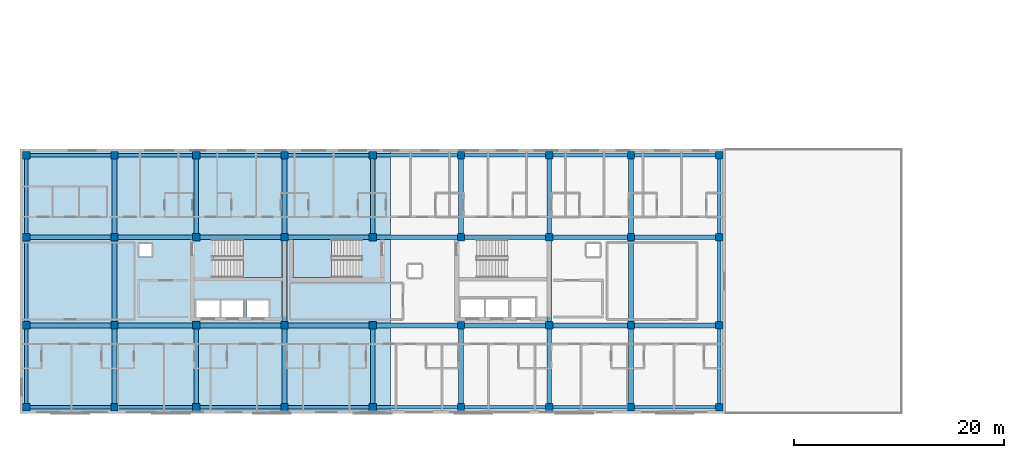
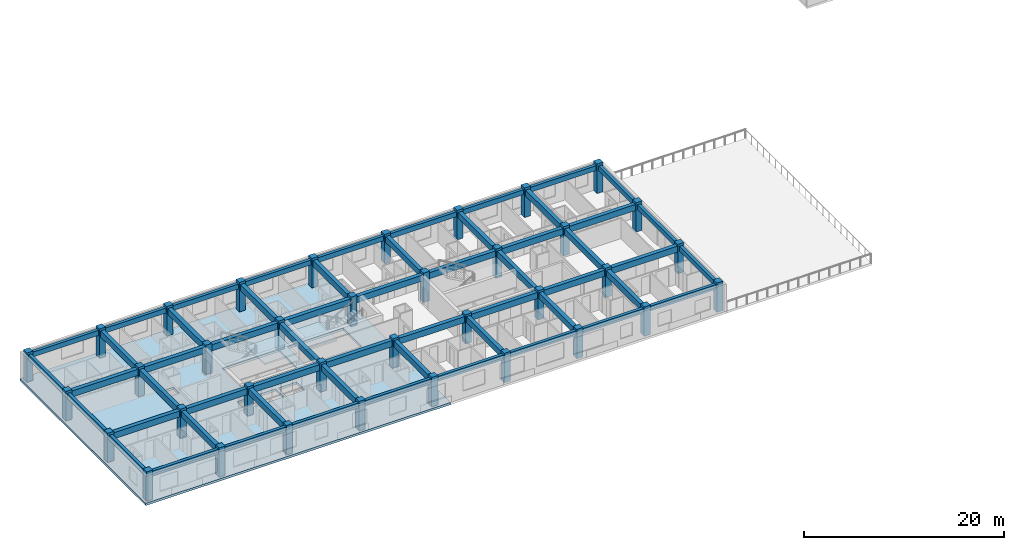
# One storey, part 1 of 13: 56 beams, 36 columns, 3 slabs, 2 elements without a shape of their own.
"""IFC4 building model written with IfcOpenShell, lengths in metres."""

import ifcopenshell
import ifcopenshell.guid

model = None  # the IFC model being written
_history = None  # IfcOwnerHistory: only IFC2X3 demands one
_inside = {}  # id of a spatial element -> (the spatial element, [elements in it])
_under = {}  # id of a project, library or spatial element -> (it, [spatial elements below it])
_declared = {}  # id of a project -> (the project, [libraries it declares])
_typed = {}  # id of a type object -> (the type object, [elements of that type])
_made_of = {}  # id of a material, layer set ... -> (it, [elements and type objects made of it])


def new_model(schema):
    """Start an empty IFC model of exactly this schema.

    Asked for "IFC4X3", IfcOpenShell would pick the latest addendum, in which some entities
    have other attributes; the version numbers below select the first issue.
    IFC2X3 requires an IfcOwnerHistory on every rooted entity: one is made here for all.
    """
    global model, _history
    if schema == "IFC4X3":
        model = ifcopenshell.file(schema_version=(4, 3, 0, 0))
    else:
        model = ifcopenshell.file(schema=schema)
    _inside.clear()
    _under.clear()
    _declared.clear()
    _typed.clear()
    _made_of.clear()
    _history = None
    if model.schema == "IFC2X3":
        org = make("IfcOrganization", Name="unknown")
        user = make(
            "IfcPersonAndOrganization",
            ThePerson=make("IfcPerson", FamilyName="unknown"),
            TheOrganization=org,
        )
        app = make(
            "IfcApplication",
            ApplicationDeveloper=org,
            Version="unknown",
            ApplicationFullName="unknown",
            ApplicationIdentifier="unknown",
        )
        _history = make(
            "IfcOwnerHistory",
            OwningUser=user,
            OwningApplication=app,
            ChangeAction="ADDED",
            CreationDate=0,
        )
    return model


def make(cls, **values):
    """One entity of the class cls with the attributes given. An attribute that is None is left unset."""
    return model.create_entity(
        cls, **{name: value for name, value in values.items() if value is not None}
    )


def rooted(cls, **values):
    """An entity with a GlobalId (a new one), such as an element, a storey or a relation."""
    return make(cls, GlobalId=ifcopenshell.guid.new(), OwnerHistory=_history, **values)


def si_unit(unit_type, name, prefix=None):
    """IfcSIUnit, for example si_unit("LENGTHUNIT", "METRE", prefix="MILLI")."""
    return make("IfcSIUnit", UnitType=unit_type, Prefix=prefix, Name=name)


def assignment(units):
    """IfcUnitAssignment: the units of a project."""
    return None if units is None else make("IfcUnitAssignment", Units=units)


def point(xyz):
    """IfcCartesianPoint."""
    return None if xyz is None else make("IfcCartesianPoint", Coordinates=xyz)


def direction(xyz):
    """IfcDirection."""
    return None if xyz is None else make("IfcDirection", DirectionRatios=xyz)


def frame(location, z_axis=None, x_axis=None):
    """IfcAxis2Placement3D, a coordinate frame: its origin and axes. An axis left out is left unset."""
    return make(
        "IfcAxis2Placement3D",
        Location=point(location),
        Axis=direction(z_axis),
        RefDirection=direction(x_axis),
    )


def frame_2d(location, x_axis=None):
    """IfcAxis2Placement2D, a coordinate frame in the plane: its origin and x axis."""
    return make(
        "IfcAxis2Placement2D", Location=point(location), RefDirection=direction(x_axis)
    )


def origin():
    """The frame at (0, 0, 0) with its axes left unset."""
    return frame((0.0, 0.0, 0.0))


def origin_2d():
    """The frame at (0, 0) in the plane with its x axis left unset."""
    return frame_2d((0.0, 0.0))


def place(relative_to, where):
    """IfcLocalPlacement: puts the frame where relative to a parent placement (None: the world)."""
    return make(
        "IfcLocalPlacement", PlacementRelTo=relative_to, RelativePlacement=where
    )


def context(
    kind, dimensions, precision=None, world=None, true_north=None, identifier=None
):
    """IfcGeometricRepresentationContext, for example the 3D "Model" context."""
    return make(
        "IfcGeometricRepresentationContext",
        ContextIdentifier=identifier,
        ContextType=kind,
        CoordinateSpaceDimension=dimensions,
        Precision=precision,
        WorldCoordinateSystem=world,
        TrueNorth=true_north,
    )


def subcontext(parent, identifier, kind, view, scale=None):
    """IfcGeometricRepresentationSubContext, for example "Body" below "Model"."""
    return make(
        "IfcGeometricRepresentationSubContext",
        ContextIdentifier=identifier,
        ContextType=kind,
        ParentContext=parent,
        TargetScale=scale,
        TargetView=view,
    )


def project(units=None, contexts=None):
    """IfcProject with its units and contexts."""
    return rooted(
        "IfcProject",
        Name="project",
        RepresentationContexts=contexts,
        UnitsInContext=assignment(units),
    )


def spatial(cls, under=None, at=None, **own):
    """A site, building, storey or space (cls), placed at a placement, below another one or the project."""
    s = rooted(cls, ObjectPlacement=at, **own)
    if under is not None:
        _under.setdefault(under.id(), (under, []))[1].append(s)
    return s


def polyline(points):
    """IfcPolyline through the points."""
    return make("IfcPolyline", Points=[point(p) for p in points])


def profile(cls, at=None, kind="AREA", **sizes):
    """A parametric profile (cls). Its sizes go by their IFC names, for example OverallWidth=200.0."""
    return make(cls, ProfileType=kind, Position=at, **sizes)


def rectangle(**sizes):
    """IfcRectangleProfileDef."""
    return profile("IfcRectangleProfileDef", **sizes)


def outline(outer, holes=None, kind="AREA"):
    """IfcArbitraryClosedProfileDef: a profile drawn as a closed curve; with holes, ...WithVoids."""
    if holes is None:
        return make("IfcArbitraryClosedProfileDef", ProfileType=kind, OuterCurve=outer)
    return make(
        "IfcArbitraryProfileDefWithVoids",
        ProfileType=kind,
        OuterCurve=outer,
        InnerCurves=holes,
    )


def extrude(swept, where, along, depth):
    """IfcExtrudedAreaSolid: the profile swept, set in the frame where, extruded along a direction by depth."""
    return make(
        "IfcExtrudedAreaSolid",
        SweptArea=swept,
        Position=where,
        ExtrudedDirection=direction(along),
        Depth=depth,
    )


def shape(context_of_items, identifier, shape_type, items):
    """IfcShapeRepresentation: the items that make up one representation, for example the "Body"."""
    return make(
        "IfcShapeRepresentation",
        ContextOfItems=context_of_items,
        RepresentationIdentifier=identifier,
        RepresentationType=shape_type,
        Items=items,
    )


def material(Name=None, Category=None):
    """IfcMaterial."""
    return make("IfcMaterial", Name=Name, Category=Category)


def layer(
    of_material, thickness, ventilated=None, Name=None, Category=None, Priority=None
):
    """IfcMaterialLayer: one layer of a wall or slab, of a material (None: an air gap)."""
    return make(
        "IfcMaterialLayer",
        Material=of_material,
        LayerThickness=thickness,
        IsVentilated=ventilated,
        Name=Name,
        Category=Category,
        Priority=Priority,
    )


def layer_set(layers, Name=None):
    """IfcMaterialLayerSet."""
    return make("IfcMaterialLayerSet", MaterialLayers=layers, LayerSetName=Name)


def material_profile(
    of_material, cross_section, Name=None, Category=None, Priority=None
):
    """IfcMaterialProfile: a cross section and its material."""
    return make(
        "IfcMaterialProfile",
        Name=Name,
        Material=of_material,
        Profile=cross_section,
        Priority=Priority,
        Category=Category,
    )


def profile_set(profiles, Name=None, composite=None):
    """IfcMaterialProfileSet."""
    return make(
        "IfcMaterialProfileSet",
        Name=Name,
        MaterialProfiles=profiles,
        CompositeProfile=composite,
    )


def made_of(thing, what):
    """Note that an element or type object is made of a material, layer set ...; save() writes the relation."""
    if what is not None:
        _made_of.setdefault(what.id(), (what, []))[1].append(thing)
    return thing


def type_object(cls, material=None, **own):
    """A type object (cls), such as IfcWallType, which elements share."""
    return made_of(rooted(cls, **own), material)


def element(
    cls,
    number,
    at=None,
    inside=None,
    cuts=None,
    type_object=None,
    material=None,
    context=None,
    identifier="Body",
    shape_type=None,
    held_by="IfcProductDefinitionShape",
    body=None,
    shapes=None,
    **own,
):
    """One element of the class cls, such as IfcWall. Its Tag is "e" and its number.

    at: its placement. inside: the storey or other place that contains it. cuts: it is an
    opening in that element (IfcRelVoidsElement). A single representation is given by context,
    identifier, shape_type and body (its items); several are given by shapes. held_by: the class
    of the entity that holds the representations. save() writes the other relations.
    """
    e = rooted(cls, Tag="e%d" % number, ObjectPlacement=at, **own)
    if body is not None:
        shapes = [shape(context, identifier, shape_type, body)]
    if shapes is not None:
        e.Representation = make(held_by, Representations=shapes)
    if inside is not None:
        _inside.setdefault(inside.id(), (inside, []))[1].append(e)
    if cuts is not None:
        rooted(
            "IfcRelVoidsElement", RelatingBuildingElement=cuts, RelatedOpeningElement=e
        )
    if type_object is not None:
        _typed.setdefault(type_object.id(), (type_object, []))[1].append(e)
    return made_of(e, material)


def aggregate(whole, parts):
    """IfcRelAggregates: a whole, such as a stair, and the parts it consists of."""
    return rooted("IfcRelAggregates", RelatingObject=whole, RelatedObjects=parts)


def save(model, path):
    """Write the relations noted so far, then the file.

    IfcRelAggregates (storeys below a building ...), IfcRelContainedInSpatialStructure (elements
    in a storey), IfcRelDefinesByType, IfcRelAssociatesMaterial and IfcRelDeclares: one each for
    every whole, place, type object, material and project.
    """
    for whole, parts in _under.values():
        aggregate(whole, parts)
    for where, things in _inside.values():
        rooted(
            "IfcRelContainedInSpatialStructure",
            RelatedElements=things,
            RelatingStructure=where,
        )
    for kind, things in _typed.values():
        rooted("IfcRelDefinesByType", RelatedObjects=things, RelatingType=kind)
    for what, things in _made_of.values():
        rooted("IfcRelAssociatesMaterial", RelatedObjects=things, RelatingMaterial=what)
    for by, libraries in _declared.values():
        rooted("IfcRelDeclares", RelatingContext=by, RelatedDefinitions=libraries)
    model.write(path)


model = new_model("IFC4")

# Units and contexts
model_context = context("Model", 3, precision=1e-05, world=origin(), true_north=direction((0.0, 1.0)))
body_context = subcontext(model_context, "Body", "Model", "MODEL_VIEW")
ifc_project = project(units=[si_unit("LENGTHUNIT", "METRE"), si_unit("AREAUNIT", "SQUARE_METRE"), si_unit("VOLUMEUNIT", "CUBIC_METRE"), si_unit("PLANEANGLEUNIT", "RADIAN"), si_unit("MASSUNIT", "GRAM", prefix="KILO")], contexts=[model_context])

# Site, building, storey
site_placement = place(None, origin())
site = spatial("IfcSite", under=ifc_project, at=site_placement, CompositionType="ELEMENT")
building_placement = place(site_placement, origin())
building = spatial("IfcBuilding", under=site, at=building_placement, Name="Zayran Congress Hotel", CompositionType="ELEMENT")
storey_placement = place(building_placement, frame((0.0, 0.0, 22.800048828125)))
storey = spatial("IfcBuildingStorey", under=building, at=storey_placement, Name="L05", CompositionType="ELEMENT", Elevation=22.800048828125)

# Columns
ifc_material_1 = material(Name="Concrete C40/50", Category="concrete")
ifc_material_profile_1 = material_profile(ifc_material_1, rectangle(XDim=0.699951171875, YDim=0.699951171875, at=origin_2d()), Name="RC 700x700")
ifc_profile_set_1 = profile_set([ifc_material_profile_1], Name="Concrete C40/50")
column_type = type_object("IfcColumnType", Name="TP-CL-03", PredefinedType="COLUMN", material=ifc_profile_set_1)
for number, where, z_axis, x_axis, name in (
    (1, (9.0, 9.39990234375, 0.0), (0.0, 0.0, 1.0), (1.0, 0.0, 0.0), "COL-V5-L05-1152"),
    (2, (9.0, 17.199951171875, 0.0), (0.0, 0.0, 1.0), (1.0, 0.0, 0.0), "COL-V5-L05-1153"),
    (3, (9.0, 25.60009765625, 0.0), (0.0, 0.0, 1.0), (1.0, 0.0, 0.0), "COL-V5-L05-1154"),
    (4, (9.0, 33.39990234375, 0.0), (0.0, 0.0, 1.0), (1.0, 0.0, 0.0), "COL-V5-L05-1155"),
    (5, (17.39990234375, 9.39990234375, 0.0), (0.0, 0.0, 1.0), (1.0, 0.0, 0.0), "COL-V5-L05-1156"),
    (6, (17.39990234375, 17.199951171875, 0.0), (0.0, 0.0, 1.0), (1.0, 0.0, 0.0), "COL-V5-L05-1157"),
    (7, (17.39990234375, 25.60009765625, 0.0), (0.0, 0.0, 1.0), (1.0, 0.0, 0.0), "COL-V5-L05-1158"),
    (8, (17.39990234375, 33.39990234375, 0.0), (0.0, 0.0, 1.0), (1.0, 0.0, 0.0), "COL-V5-L05-1159"),
    (9, (25.199951171875, 9.39990234375, 0.0), (0.0, 0.0, 1.0), (1.0, 0.0, 0.0), "COL-V5-L05-1160"),
    (10, (25.199951171875, 17.199951171875, 0.0), (0.0, 0.0, 1.0), (1.0, 0.0, 0.0), "COL-V5-L05-1161"),
    (11, (25.199951171875, 25.60009765625, 0.0), (0.0, 0.0, 1.0), (1.0, 0.0, 0.0), "COL-V5-L05-1162"),
    (12, (25.199951171875, 33.39990234375, 0.0), (0.0, 0.0, 1.0), (1.0, 0.0, 0.0), "COL-V5-L05-1163"),
    (13, (33.60009765625, 9.39990234375, 0.0), (0.0, 0.0, 1.0), (1.0, 0.0, 0.0), "COL-V5-L05-1164"),
    (14, (33.60009765625, 17.199951171875, 0.0), (0.0, 0.0, 1.0), (1.0, 0.0, 0.0), "COL-V5-L05-1165"),
    (15, (33.60009765625, 25.60009765625, 0.0), (0.0, 0.0, 1.0), (1.0, 0.0, 0.0), "COL-V5-L05-1166"),
    (16, (33.60009765625, 33.39990234375, 0.0), (0.0, 0.0, 1.0), (1.0, 0.0, 0.0), "COL-V5-L05-1167"),
    (17, (42.0, 9.39990234375, 0.0), (0.0, 0.0, 1.0), (1.0, 0.0, 0.0), "COL-V5-L05-1168"),
    (18, (42.0, 17.199951171875, 0.0), (0.0, 0.0, 1.0), (1.0, 0.0, 0.0), "COL-V5-L05-1169"),
    (19, (42.0, 25.60009765625, 0.0), (0.0, 0.0, 1.0), (1.0, 0.0, 0.0), "COL-V5-L05-1170"),
    (20, (42.0, 33.39990234375, 0.0), (0.0, 0.0, 1.0), (1.0, 0.0, 0.0), "COL-V5-L05-1171"),
    (21, (50.39990234375, 9.39990234375, 0.0), (0.0, 0.0, 1.0), (1.0, 0.0, 0.0), "COL-V5-L05-1172"),
    (22, (50.39990234375, 17.199951171875, 0.0), (0.0, 0.0, 1.0), (1.0, 0.0, 0.0), "COL-V5-L05-1173"),
    (23, (50.39990234375, 25.60009765625, 0.0), (0.0, 0.0, 1.0), (1.0, 0.0, 0.0), "COL-V5-L05-1174"),
    (24, (50.39990234375, 33.39990234375, 0.0), (0.0, 0.0, 1.0), (1.0, 0.0, 0.0), "COL-V5-L05-1175"),
    (25, (58.800048828125, 9.39990234375, 0.0), (0.0, 0.0, 1.0), (1.0, 0.0, 0.0), "COL-V5-L05-1176"),
    (26, (58.800048828125, 17.199951171875, 0.0), (0.0, 0.0, 1.0), (1.0, 0.0, 0.0), "COL-V5-L05-1177"),
    (27, (58.800048828125, 25.60009765625, 0.0), (0.0, 0.0, 1.0), (1.0, 0.0, 0.0), "COL-V5-L05-1178"),
    (28, (58.800048828125, 33.39990234375, 0.0), (0.0, 0.0, 1.0), (1.0, 0.0, 0.0), "COL-V5-L05-1179"),
    (29, (66.60009765625, 9.39990234375, 0.0), (0.0, 0.0, 1.0), (1.0, 0.0, 0.0), "COL-V5-L05-1180"),
    (30, (66.60009765625, 17.199951171875, 0.0), (0.0, 0.0, 1.0), (1.0, 0.0, 0.0), "COL-V5-L05-1181"),
    (31, (66.60009765625, 25.60009765625, 0.0), (0.0, 0.0, 1.0), (1.0, 0.0, 0.0), "COL-V5-L05-1182"),
    (32, (66.60009765625, 33.39990234375, 0.0), (0.0, 0.0, 1.0), (1.0, 0.0, 0.0), "COL-V5-L05-1183"),
    (33, (75.0, 9.39990234375, 0.0), (0.0, 0.0, 1.0), (1.0, 0.0, 0.0), "COL-V5-L05-1184"),
    (34, (75.0, 17.199951171875, 0.0), (0.0, 0.0, 1.0), (1.0, 0.0, 0.0), "COL-V5-L05-1185"),
    (35, (75.0, 25.60009765625, 0.0), (0.0, 0.0, 1.0), (1.0, 0.0, 0.0), "COL-V5-L05-1186"),
    (36, (75.0, 33.39990234375, 0.0), (0.0, 0.0, 1.0), (1.0, 0.0, 0.0), "COL-V5-L05-1187"),
):
    element("IfcColumn", number, at=place(storey_placement, frame(where, z_axis=z_axis, x_axis=x_axis)), inside=storey, type_object=column_type, Name=name, PredefinedType="COLUMN", context=body_context, shape_type="SweptSolid", body=[
        extrude(rectangle(XDim=0.699951171875, YDim=0.699951171875, at=origin_2d()), origin(), (0.0, 0.0, 1.0), 3.599853515625),
    ])

# Beams
ifc_material_profile_2 = material_profile(ifc_material_1, rectangle(XDim=0.449951171875, YDim=0.75, at=origin_2d()), Name="RC 450x750")
ifc_profile_set_2 = profile_set([ifc_material_profile_2], Name="Concrete C40/50")
beam_type_1 = type_object("IfcBeamType", Name="TP-BM-02", PredefinedType="BEAM", material=ifc_profile_set_2)
beam_1_placement = place(storey_placement, frame((9.0, 17.199951171875, 2.945068359375), z_axis=(1.0, 0.0, 0.0), x_axis=(0.0, 1.0, 0.0)))
element("IfcBeam", 37, at=beam_1_placement, inside=storey, type_object=beam_type_1, Name="BM-V5-L05-2052", PredefinedType="BEAM", context=body_context, shape_type="SweptSolid", body=[
    extrude(rectangle(XDim=0.449951171875, YDim=0.75, at=origin_2d()), origin(), (0.0, 0.0, 1.0), 8.39990234375),
])
beam_2_placement = place(storey_placement, frame((17.39990234375, 17.199951171875, 2.945068359375), z_axis=(1.0, 0.0, 0.0), x_axis=(0.0, 1.0, 0.0)))
element("IfcBeam", 38, at=beam_2_placement, inside=storey, type_object=beam_type_1, Name="BM-V5-L05-2053", PredefinedType="BEAM", context=body_context, shape_type="SweptSolid", body=[
    extrude(rectangle(XDim=0.449951171875, YDim=0.75, at=origin_2d()), origin(), (0.0, 0.0, 1.0), 7.800048828125),
])
beam_3_placement = place(storey_placement, frame((25.199951171875, 17.199951171875, 2.945068359375), z_axis=(1.0, 0.0, 0.0), x_axis=(0.0, 1.0, 0.0)))
element("IfcBeam", 39, at=beam_3_placement, inside=storey, type_object=beam_type_1, Name="BM-V5-L05-2054", PredefinedType="BEAM", context=body_context, shape_type="SweptSolid", body=[
    extrude(rectangle(XDim=0.449951171875, YDim=0.75, at=origin_2d()), origin(), (0.0, 0.0, 1.0), 8.400146484375),
])
for number, where, z_axis, x_axis, name in (
    (40, (33.60009765625, 17.199951171875, 2.945068359375), (1.0, 0.0, 0.0), (0.0, 1.0, 0.0), "BM-V5-L05-2055"),
    (41, (42.0, 17.199951171875, 2.945068359375), (1.0, 0.0, 0.0), (0.0, 1.0, 0.0), "BM-V5-L05-2056"),
):
    element("IfcBeam", number, at=place(storey_placement, frame(where, z_axis=z_axis, x_axis=x_axis)), inside=storey, type_object=beam_type_1, Name=name, PredefinedType="BEAM", context=body_context, shape_type="SweptSolid", body=[
        extrude(rectangle(XDim=0.449951171875, YDim=0.75, at=origin_2d()), origin(), (0.0, 0.0, 1.0), 8.39990234375),
    ])
beam_4_placement = place(storey_placement, frame((50.39990234375, 17.199951171875, 2.945068359375), z_axis=(1.0, 0.0, 0.0), x_axis=(0.0, 1.0, 0.0)))
element("IfcBeam", 42, at=beam_4_placement, inside=storey, type_object=beam_type_1, Name="BM-V5-L05-2057", PredefinedType="BEAM", context=body_context, shape_type="SweptSolid", body=[
    extrude(rectangle(XDim=0.449951171875, YDim=0.75, at=origin_2d()), origin(), (0.0, 0.0, 1.0), 8.400146484375),
])
beam_5_placement = place(storey_placement, frame((58.800048828125, 17.199951171875, 2.945068359375), z_axis=(1.0, 0.0, 0.0), x_axis=(0.0, 1.0, 0.0)))
element("IfcBeam", 43, at=beam_5_placement, inside=storey, type_object=beam_type_1, Name="BM-V5-L05-2058", PredefinedType="BEAM", context=body_context, shape_type="SweptSolid", body=[
    extrude(rectangle(XDim=0.449951171875, YDim=0.75, at=origin_2d()), origin(), (0.0, 0.0, 1.0), 7.800048828125),
])
for number, where, z_axis, x_axis, name in (
    (44, (66.60009765625, 17.199951171875, 2.945068359375), (1.0, 0.0, 0.0), (0.0, 1.0, 0.0), "BM-V5-L05-2059"),
    (45, (9.0, 25.60009765625, 2.945068359375), (1.0, 0.0, 0.0), (0.0, 1.0, 0.0), "BM-V5-L05-2060"),
):
    element("IfcBeam", number, at=place(storey_placement, frame(where, z_axis=z_axis, x_axis=x_axis)), inside=storey, type_object=beam_type_1, Name=name, PredefinedType="BEAM", context=body_context, shape_type="SweptSolid", body=[
        extrude(rectangle(XDim=0.449951171875, YDim=0.75, at=origin_2d()), origin(), (0.0, 0.0, 1.0), 8.39990234375),
    ])
beam_6_placement = place(storey_placement, frame((17.39990234375, 25.60009765625, 2.945068359375), z_axis=(1.0, 0.0, 0.0), x_axis=(0.0, 1.0, 0.0)))
element("IfcBeam", 46, at=beam_6_placement, inside=storey, type_object=beam_type_1, Name="BM-V5-L05-2061", PredefinedType="BEAM", context=body_context, shape_type="SweptSolid", body=[
    extrude(rectangle(XDim=0.449951171875, YDim=0.75, at=origin_2d()), origin(), (0.0, 0.0, 1.0), 7.800048828125),
])
beam_7_placement = place(storey_placement, frame((25.199951171875, 25.60009765625, 2.945068359375), z_axis=(1.0, 0.0, 0.0), x_axis=(0.0, 1.0, 0.0)))
element("IfcBeam", 47, at=beam_7_placement, inside=storey, type_object=beam_type_1, Name="BM-V5-L05-2062", PredefinedType="BEAM", context=body_context, shape_type="SweptSolid", body=[
    extrude(rectangle(XDim=0.449951171875, YDim=0.75, at=origin_2d()), origin(), (0.0, 0.0, 1.0), 8.400146484375),
])
for number, where, z_axis, x_axis, name in (
    (48, (33.60009765625, 25.60009765625, 2.945068359375), (1.0, 0.0, 0.0), (0.0, 1.0, 0.0), "BM-V5-L05-2063"),
    (49, (42.0, 25.60009765625, 2.945068359375), (1.0, 0.0, 0.0), (0.0, 1.0, 0.0), "BM-V5-L05-2064"),
):
    element("IfcBeam", number, at=place(storey_placement, frame(where, z_axis=z_axis, x_axis=x_axis)), inside=storey, type_object=beam_type_1, Name=name, PredefinedType="BEAM", context=body_context, shape_type="SweptSolid", body=[
        extrude(rectangle(XDim=0.449951171875, YDim=0.75, at=origin_2d()), origin(), (0.0, 0.0, 1.0), 8.39990234375),
    ])
beam_8_placement = place(storey_placement, frame((50.39990234375, 25.60009765625, 2.945068359375), z_axis=(1.0, 0.0, 0.0), x_axis=(0.0, 1.0, 0.0)))
element("IfcBeam", 50, at=beam_8_placement, inside=storey, type_object=beam_type_1, Name="BM-V5-L05-2065", PredefinedType="BEAM", context=body_context, shape_type="SweptSolid", body=[
    extrude(rectangle(XDim=0.449951171875, YDim=0.75, at=origin_2d()), origin(), (0.0, 0.0, 1.0), 8.400146484375),
])
beam_9_placement = place(storey_placement, frame((58.800048828125, 25.60009765625, 2.945068359375), z_axis=(1.0, 0.0, 0.0), x_axis=(0.0, 1.0, 0.0)))
element("IfcBeam", 51, at=beam_9_placement, inside=storey, type_object=beam_type_1, Name="BM-V5-L05-2066", PredefinedType="BEAM", context=body_context, shape_type="SweptSolid", body=[
    extrude(rectangle(XDim=0.449951171875, YDim=0.75, at=origin_2d()), origin(), (0.0, 0.0, 1.0), 7.800048828125),
])
beam_10_placement = place(storey_placement, frame((66.60009765625, 25.60009765625, 2.945068359375), z_axis=(1.0, 0.0, 0.0), x_axis=(0.0, 1.0, 0.0)))
element("IfcBeam", 52, at=beam_10_placement, inside=storey, type_object=beam_type_1, Name="BM-V5-L05-2067", PredefinedType="BEAM", context=body_context, shape_type="SweptSolid", body=[
    extrude(rectangle(XDim=0.449951171875, YDim=0.75, at=origin_2d()), origin(), (0.0, 0.0, 1.0), 8.39990234375),
])
beam_11_placement = place(storey_placement, frame((17.39990234375, 9.39990234375, 2.945068359375), z_axis=(0.0, 1.0, 0.0), x_axis=(-1.0, 0.0, 0.0)))
element("IfcBeam", 53, at=beam_11_placement, inside=storey, type_object=beam_type_1, Name="BM-V5-L05-2079", PredefinedType="BEAM", context=body_context, shape_type="SweptSolid", body=[
    extrude(rectangle(XDim=0.449951171875, YDim=0.75, at=origin_2d()), origin(), (0.0, 0.0, 1.0), 7.800048828125),
])
beam_12_placement = place(storey_placement, frame((17.39990234375, 17.199951171875, 2.945068359375), z_axis=(0.0, 1.0, 0.0), x_axis=(-1.0, 0.0, 0.0)))
element("IfcBeam", 54, at=beam_12_placement, inside=storey, type_object=beam_type_1, Name="BM-V5-L05-2080", PredefinedType="BEAM", context=body_context, shape_type="SweptSolid", body=[
    extrude(rectangle(XDim=0.449951171875, YDim=0.75, at=origin_2d()), origin(), (0.0, 0.0, 1.0), 8.400146484375),
])
beam_13_placement = place(storey_placement, frame((17.39990234375, 25.60009765625, 2.945068359375), z_axis=(0.0, 1.0, 0.0), x_axis=(-1.0, 0.0, 0.0)))
element("IfcBeam", 55, at=beam_13_placement, inside=storey, type_object=beam_type_1, Name="BM-V5-L05-2081", PredefinedType="BEAM", context=body_context, shape_type="SweptSolid", body=[
    extrude(rectangle(XDim=0.449951171875, YDim=0.75, at=origin_2d()), origin(), (0.0, 0.0, 1.0), 7.7998046875),
])
beam_14_placement = place(storey_placement, frame((25.199951171875, 9.39990234375, 2.945068359375), z_axis=(0.0, 1.0, 0.0), x_axis=(-1.0, 0.0, 0.0)))
element("IfcBeam", 56, at=beam_14_placement, inside=storey, type_object=beam_type_1, Name="BM-V5-L05-2082", PredefinedType="BEAM", context=body_context, shape_type="SweptSolid", body=[
    extrude(rectangle(XDim=0.449951171875, YDim=0.75, at=origin_2d()), origin(), (0.0, 0.0, 1.0), 7.800048828125),
])
beam_15_placement = place(storey_placement, frame((25.199951171875, 25.60009765625, 2.945068359375), z_axis=(0.0, 1.0, 0.0), x_axis=(-1.0, 0.0, 0.0)))
element("IfcBeam", 57, at=beam_15_placement, inside=storey, type_object=beam_type_1, Name="BM-V5-L05-2083", PredefinedType="BEAM", context=body_context, shape_type="SweptSolid", body=[
    extrude(rectangle(XDim=0.449951171875, YDim=0.75, at=origin_2d()), origin(), (0.0, 0.0, 1.0), 7.7998046875),
])
beam_16_placement = place(storey_placement, frame((33.60009765625, 9.39990234375, 2.945068359375), z_axis=(0.0, 1.0, 0.0), x_axis=(-1.0, 0.0, 0.0)))
element("IfcBeam", 58, at=beam_16_placement, inside=storey, type_object=beam_type_1, Name="BM-V5-L05-2084", PredefinedType="BEAM", context=body_context, shape_type="SweptSolid", body=[
    extrude(rectangle(XDim=0.449951171875, YDim=0.75, at=origin_2d()), origin(), (0.0, 0.0, 1.0), 7.800048828125),
])
beam_17_placement = place(storey_placement, frame((33.60009765625, 17.199951171875, 2.945068359375), z_axis=(0.0, 1.0, 0.0), x_axis=(-1.0, 0.0, 0.0)))
element("IfcBeam", 59, at=beam_17_placement, inside=storey, type_object=beam_type_1, Name="BM-V5-L05-2085", PredefinedType="BEAM", context=body_context, shape_type="SweptSolid", body=[
    extrude(rectangle(XDim=0.449951171875, YDim=0.75, at=origin_2d()), origin(), (0.0, 0.0, 1.0), 8.400146484375),
])
beam_18_placement = place(storey_placement, frame((33.60009765625, 25.60009765625, 2.945068359375), z_axis=(0.0, 1.0, 0.0), x_axis=(-1.0, 0.0, 0.0)))
element("IfcBeam", 60, at=beam_18_placement, inside=storey, type_object=beam_type_1, Name="BM-V5-L05-2086", PredefinedType="BEAM", context=body_context, shape_type="SweptSolid", body=[
    extrude(rectangle(XDim=0.449951171875, YDim=0.75, at=origin_2d()), origin(), (0.0, 0.0, 1.0), 7.7998046875),
])
beam_19_placement = place(storey_placement, frame((42.0, 9.39990234375, 2.945068359375), z_axis=(0.0, 1.0, 0.0), x_axis=(-1.0, 0.0, 0.0)))
element("IfcBeam", 61, at=beam_19_placement, inside=storey, type_object=beam_type_1, Name="BM-V5-L05-2087", PredefinedType="BEAM", context=body_context, shape_type="SweptSolid", body=[
    extrude(rectangle(XDim=0.449951171875, YDim=0.75, at=origin_2d()), origin(), (0.0, 0.0, 1.0), 7.800048828125),
])
beam_20_placement = place(storey_placement, frame((42.0, 25.60009765625, 2.945068359375), z_axis=(0.0, 1.0, 0.0), x_axis=(-1.0, 0.0, 0.0)))
element("IfcBeam", 62, at=beam_20_placement, inside=storey, type_object=beam_type_1, Name="BM-V5-L05-2089", PredefinedType="BEAM", context=body_context, shape_type="SweptSolid", body=[
    extrude(rectangle(XDim=0.449951171875, YDim=0.75, at=origin_2d()), origin(), (0.0, 0.0, 1.0), 7.7998046875),
])
beam_21_placement = place(storey_placement, frame((50.39990234375, 9.39990234375, 2.945068359375), z_axis=(0.0, 1.0, 0.0), x_axis=(-1.0, 0.0, 0.0)))
element("IfcBeam", 63, at=beam_21_placement, inside=storey, type_object=beam_type_1, Name="BM-V5-L05-2090", PredefinedType="BEAM", context=body_context, shape_type="SweptSolid", body=[
    extrude(rectangle(XDim=0.449951171875, YDim=0.75, at=origin_2d()), origin(), (0.0, 0.0, 1.0), 7.800048828125),
])
beam_22_placement = place(storey_placement, frame((50.39990234375, 25.60009765625, 2.945068359375), z_axis=(0.0, 1.0, 0.0), x_axis=(-1.0, 0.0, 0.0)))
element("IfcBeam", 64, at=beam_22_placement, inside=storey, type_object=beam_type_1, Name="BM-V5-L05-2091", PredefinedType="BEAM", context=body_context, shape_type="SweptSolid", body=[
    extrude(rectangle(XDim=0.449951171875, YDim=0.75, at=origin_2d()), origin(), (0.0, 0.0, 1.0), 7.7998046875),
])
beam_23_placement = place(storey_placement, frame((58.800048828125, 9.39990234375, 2.945068359375), z_axis=(0.0, 1.0, 0.0), x_axis=(-1.0, 0.0, 0.0)))
element("IfcBeam", 65, at=beam_23_placement, inside=storey, type_object=beam_type_1, Name="BM-V5-L05-2092", PredefinedType="BEAM", context=body_context, shape_type="SweptSolid", body=[
    extrude(rectangle(XDim=0.449951171875, YDim=0.75, at=origin_2d()), origin(), (0.0, 0.0, 1.0), 7.800048828125),
])
beam_24_placement = place(storey_placement, frame((58.800048828125, 17.199951171875, 2.945068359375), z_axis=(0.0, 1.0, 0.0), x_axis=(-1.0, 0.0, 0.0)))
element("IfcBeam", 66, at=beam_24_placement, inside=storey, type_object=beam_type_1, Name="BM-V5-L05-2093", PredefinedType="BEAM", context=body_context, shape_type="SweptSolid", body=[
    extrude(rectangle(XDim=0.449951171875, YDim=0.75, at=origin_2d()), origin(), (0.0, 0.0, 1.0), 8.400146484375),
])
beam_25_placement = place(storey_placement, frame((58.800048828125, 25.60009765625, 2.945068359375), z_axis=(0.0, 1.0, 0.0), x_axis=(-1.0, 0.0, 0.0)))
element("IfcBeam", 67, at=beam_25_placement, inside=storey, type_object=beam_type_1, Name="BM-V5-L05-2094", PredefinedType="BEAM", context=body_context, shape_type="SweptSolid", body=[
    extrude(rectangle(XDim=0.449951171875, YDim=0.75, at=origin_2d()), origin(), (0.0, 0.0, 1.0), 7.7998046875),
])
beam_26_placement = place(storey_placement, frame((66.60009765625, 9.39990234375, 2.945068359375), z_axis=(0.0, 1.0, 0.0), x_axis=(-1.0, 0.0, 0.0)))
element("IfcBeam", 68, at=beam_26_placement, inside=storey, type_object=beam_type_1, Name="BM-V5-L05-2095", PredefinedType="BEAM", context=body_context, shape_type="SweptSolid", body=[
    extrude(rectangle(XDim=0.449951171875, YDim=0.75, at=origin_2d()), origin(), (0.0, 0.0, 1.0), 7.800048828125),
])
beam_27_placement = place(storey_placement, frame((66.60009765625, 17.199951171875, 2.945068359375), z_axis=(0.0, 1.0, 0.0), x_axis=(-1.0, 0.0, 0.0)))
element("IfcBeam", 69, at=beam_27_placement, inside=storey, type_object=beam_type_1, Name="BM-V5-L05-2096", PredefinedType="BEAM", context=body_context, shape_type="SweptSolid", body=[
    extrude(rectangle(XDim=0.449951171875, YDim=0.75, at=origin_2d()), origin(), (0.0, 0.0, 1.0), 8.400146484375),
])
beam_28_placement = place(storey_placement, frame((66.60009765625, 25.60009765625, 2.945068359375), z_axis=(0.0, 1.0, 0.0), x_axis=(-1.0, 0.0, 0.0)))
element("IfcBeam", 70, at=beam_28_placement, inside=storey, type_object=beam_type_1, Name="BM-V5-L05-2097", PredefinedType="BEAM", context=body_context, shape_type="SweptSolid", body=[
    extrude(rectangle(XDim=0.449951171875, YDim=0.75, at=origin_2d()), origin(), (0.0, 0.0, 1.0), 7.7998046875),
])
ifc_material_profile_3 = material_profile(ifc_material_1, rectangle(XDim=0.35009765625, YDim=0.60009765625, at=origin_2d()), Name="RC 350x600")
ifc_profile_set_3 = profile_set([ifc_material_profile_3], Name="Concrete C40/50")
beam_type_2 = type_object("IfcBeamType", Name="TP-SP-01", PredefinedType="SPANDREL", material=ifc_profile_set_3)
beam_29_placement = place(storey_placement, frame((9.0, 9.39990234375, 3.02001953125), z_axis=(1.0, 0.0, 0.0), x_axis=(0.0, 1.0, 0.0)))
element("IfcBeam", 71, at=beam_29_placement, inside=storey, type_object=beam_type_2, Name="BM-V5-L05-2044", PredefinedType="SPANDREL", context=body_context, shape_type="SweptSolid", body=[
    extrude(rectangle(XDim=0.35009765625, YDim=0.60009765625, at=origin_2d()), origin(), (0.0, 0.0, 1.0), 8.39990234375),
])
beam_30_placement = place(storey_placement, frame((17.39990234375, 9.39990234375, 3.02001953125), z_axis=(1.0, 0.0, 0.0), x_axis=(0.0, 1.0, 0.0)))
element("IfcBeam", 72, at=beam_30_placement, inside=storey, type_object=beam_type_2, Name="BM-V5-L05-2045", PredefinedType="SPANDREL", context=body_context, shape_type="SweptSolid", body=[
    extrude(rectangle(XDim=0.35009765625, YDim=0.60009765625, at=origin_2d()), origin(), (0.0, 0.0, 1.0), 7.800048828125),
])
beam_31_placement = place(storey_placement, frame((25.199951171875, 9.39990234375, 3.02001953125), z_axis=(1.0, 0.0, 0.0), x_axis=(0.0, 1.0, 0.0)))
element("IfcBeam", 73, at=beam_31_placement, inside=storey, type_object=beam_type_2, Name="BM-V5-L05-2046", PredefinedType="SPANDREL", context=body_context, shape_type="SweptSolid", body=[
    extrude(rectangle(XDim=0.35009765625, YDim=0.60009765625, at=origin_2d()), origin(), (0.0, 0.0, 1.0), 8.400146484375),
])
for number, where, z_axis, x_axis, name in (
    (74, (33.60009765625, 9.39990234375, 3.02001953125), (1.0, 0.0, 0.0), (0.0, 1.0, 0.0), "BM-V5-L05-2047"),
    (75, (42.0, 9.39990234375, 3.02001953125), (1.0, 0.0, 0.0), (0.0, 1.0, 0.0), "BM-V5-L05-2048"),
):
    element("IfcBeam", number, at=place(storey_placement, frame(where, z_axis=z_axis, x_axis=x_axis)), inside=storey, type_object=beam_type_2, Name=name, PredefinedType="SPANDREL", context=body_context, shape_type="SweptSolid", body=[
        extrude(rectangle(XDim=0.35009765625, YDim=0.60009765625, at=origin_2d()), origin(), (0.0, 0.0, 1.0), 8.39990234375),
    ])
beam_32_placement = place(storey_placement, frame((50.39990234375, 9.39990234375, 3.02001953125), z_axis=(1.0, 0.0, 0.0), x_axis=(0.0, 1.0, 0.0)))
element("IfcBeam", 76, at=beam_32_placement, inside=storey, type_object=beam_type_2, Name="BM-V5-L05-2049", PredefinedType="SPANDREL", context=body_context, shape_type="SweptSolid", body=[
    extrude(rectangle(XDim=0.35009765625, YDim=0.60009765625, at=origin_2d()), origin(), (0.0, 0.0, 1.0), 8.400146484375),
])
beam_33_placement = place(storey_placement, frame((58.800048828125, 9.39990234375, 3.02001953125), z_axis=(1.0, 0.0, 0.0), x_axis=(0.0, 1.0, 0.0)))
element("IfcBeam", 77, at=beam_33_placement, inside=storey, type_object=beam_type_2, Name="BM-V5-L05-2050", PredefinedType="SPANDREL", context=body_context, shape_type="SweptSolid", body=[
    extrude(rectangle(XDim=0.35009765625, YDim=0.60009765625, at=origin_2d()), origin(), (0.0, 0.0, 1.0), 7.800048828125),
])
for number, where, z_axis, x_axis, name in (
    (78, (66.60009765625, 9.39990234375, 3.02001953125), (1.0, 0.0, 0.0), (0.0, 1.0, 0.0), "BM-V5-L05-2051"),
    (79, (9.0, 33.39990234375, 3.02001953125), (1.0, 0.0, 0.0), (0.0, 1.0, 0.0), "BM-V5-L05-2068"),
):
    element("IfcBeam", number, at=place(storey_placement, frame(where, z_axis=z_axis, x_axis=x_axis)), inside=storey, type_object=beam_type_2, Name=name, PredefinedType="SPANDREL", context=body_context, shape_type="SweptSolid", body=[
        extrude(rectangle(XDim=0.35009765625, YDim=0.60009765625, at=origin_2d()), origin(), (0.0, 0.0, 1.0), 8.39990234375),
    ])
beam_34_placement = place(storey_placement, frame((17.39990234375, 33.39990234375, 3.02001953125), z_axis=(1.0, 0.0, 0.0), x_axis=(0.0, 1.0, 0.0)))
element("IfcBeam", 80, at=beam_34_placement, inside=storey, type_object=beam_type_2, Name="BM-V5-L05-2069", PredefinedType="SPANDREL", context=body_context, shape_type="SweptSolid", body=[
    extrude(rectangle(XDim=0.35009765625, YDim=0.60009765625, at=origin_2d()), origin(), (0.0, 0.0, 1.0), 7.800048828125),
])
beam_35_placement = place(storey_placement, frame((25.199951171875, 33.39990234375, 3.02001953125), z_axis=(1.0, 0.0, 0.0), x_axis=(0.0, 1.0, 0.0)))
element("IfcBeam", 81, at=beam_35_placement, inside=storey, type_object=beam_type_2, Name="BM-V5-L05-2070", PredefinedType="SPANDREL", context=body_context, shape_type="SweptSolid", body=[
    extrude(rectangle(XDim=0.35009765625, YDim=0.60009765625, at=origin_2d()), origin(), (0.0, 0.0, 1.0), 8.400146484375),
])
for number, where, z_axis, x_axis, name in (
    (82, (33.60009765625, 33.39990234375, 3.02001953125), (1.0, 0.0, 0.0), (0.0, 1.0, 0.0), "BM-V5-L05-2071"),
    (83, (42.0, 33.39990234375, 3.02001953125), (1.0, 0.0, 0.0), (0.0, 1.0, 0.0), "BM-V5-L05-2072"),
):
    element("IfcBeam", number, at=place(storey_placement, frame(where, z_axis=z_axis, x_axis=x_axis)), inside=storey, type_object=beam_type_2, Name=name, PredefinedType="SPANDREL", context=body_context, shape_type="SweptSolid", body=[
        extrude(rectangle(XDim=0.35009765625, YDim=0.60009765625, at=origin_2d()), origin(), (0.0, 0.0, 1.0), 8.39990234375),
    ])
beam_36_placement = place(storey_placement, frame((50.39990234375, 33.39990234375, 3.02001953125), z_axis=(1.0, 0.0, 0.0), x_axis=(0.0, 1.0, 0.0)))
element("IfcBeam", 84, at=beam_36_placement, inside=storey, type_object=beam_type_2, Name="BM-V5-L05-2073", PredefinedType="SPANDREL", context=body_context, shape_type="SweptSolid", body=[
    extrude(rectangle(XDim=0.35009765625, YDim=0.60009765625, at=origin_2d()), origin(), (0.0, 0.0, 1.0), 8.400146484375),
])
beam_37_placement = place(storey_placement, frame((58.800048828125, 33.39990234375, 3.02001953125), z_axis=(1.0, 0.0, 0.0), x_axis=(0.0, 1.0, 0.0)))
element("IfcBeam", 85, at=beam_37_placement, inside=storey, type_object=beam_type_2, Name="BM-V5-L05-2074", PredefinedType="SPANDREL", context=body_context, shape_type="SweptSolid", body=[
    extrude(rectangle(XDim=0.35009765625, YDim=0.60009765625, at=origin_2d()), origin(), (0.0, 0.0, 1.0), 7.800048828125),
])
beam_38_placement = place(storey_placement, frame((66.60009765625, 33.39990234375, 3.02001953125), z_axis=(1.0, 0.0, 0.0), x_axis=(0.0, 1.0, 0.0)))
element("IfcBeam", 86, at=beam_38_placement, inside=storey, type_object=beam_type_2, Name="BM-V5-L05-2075", PredefinedType="SPANDREL", context=body_context, shape_type="SweptSolid", body=[
    extrude(rectangle(XDim=0.35009765625, YDim=0.60009765625, at=origin_2d()), origin(), (0.0, 0.0, 1.0), 8.39990234375),
])
beam_39_placement = place(storey_placement, frame((9.0, 9.39990234375, 3.02001953125), z_axis=(0.0, 1.0, 0.0), x_axis=(-1.0, 0.0, 0.0)))
element("IfcBeam", 87, at=beam_39_placement, inside=storey, type_object=beam_type_2, Name="BM-V5-L05-2076", PredefinedType="SPANDREL", context=body_context, shape_type="SweptSolid", body=[
    extrude(rectangle(XDim=0.35009765625, YDim=0.60009765625, at=origin_2d()), origin(), (0.0, 0.0, 1.0), 7.800048828125),
])
beam_40_placement = place(storey_placement, frame((9.0, 17.199951171875, 3.02001953125), z_axis=(0.0, 1.0, 0.0), x_axis=(-1.0, 0.0, 0.0)))
element("IfcBeam", 88, at=beam_40_placement, inside=storey, type_object=beam_type_2, Name="BM-V5-L05-2077", PredefinedType="SPANDREL", context=body_context, shape_type="SweptSolid", body=[
    extrude(rectangle(XDim=0.35009765625, YDim=0.60009765625, at=origin_2d()), origin(), (0.0, 0.0, 1.0), 8.400146484375),
])
beam_41_placement = place(storey_placement, frame((9.0, 25.60009765625, 3.02001953125), z_axis=(0.0, 1.0, 0.0), x_axis=(-1.0, 0.0, 0.0)))
element("IfcBeam", 89, at=beam_41_placement, inside=storey, type_object=beam_type_2, Name="BM-V5-L05-2078", PredefinedType="SPANDREL", context=body_context, shape_type="SweptSolid", body=[
    extrude(rectangle(XDim=0.35009765625, YDim=0.60009765625, at=origin_2d()), origin(), (0.0, 0.0, 1.0), 7.7998046875),
])
beam_42_placement = place(storey_placement, frame((75.0, 9.39990234375, 3.02001953125), z_axis=(0.0, 1.0, 0.0), x_axis=(-1.0, 0.0, 0.0)))
element("IfcBeam", 90, at=beam_42_placement, inside=storey, type_object=beam_type_2, Name="BM-V5-L05-2098", PredefinedType="SPANDREL", context=body_context, shape_type="SweptSolid", body=[
    extrude(rectangle(XDim=0.35009765625, YDim=0.60009765625, at=origin_2d()), origin(), (0.0, 0.0, 1.0), 7.800048828125),
])
beam_43_placement = place(storey_placement, frame((75.0, 17.199951171875, 3.02001953125), z_axis=(0.0, 1.0, 0.0), x_axis=(-1.0, 0.0, 0.0)))
element("IfcBeam", 91, at=beam_43_placement, inside=storey, type_object=beam_type_2, Name="BM-V5-L05-2099", PredefinedType="SPANDREL", context=body_context, shape_type="SweptSolid", body=[
    extrude(rectangle(XDim=0.35009765625, YDim=0.60009765625, at=origin_2d()), origin(), (0.0, 0.0, 1.0), 8.400146484375),
])
beam_44_placement = place(storey_placement, frame((75.0, 25.60009765625, 3.02001953125), z_axis=(0.0, 1.0, 0.0), x_axis=(-1.0, 0.0, 0.0)))
element("IfcBeam", 92, at=beam_44_placement, inside=storey, type_object=beam_type_2, Name="BM-V5-L05-2100", PredefinedType="SPANDREL", context=body_context, shape_type="SweptSolid", body=[
    extrude(rectangle(XDim=0.35009765625, YDim=0.60009765625, at=origin_2d()), origin(), (0.0, 0.0, 1.0), 7.7998046875),
])

# Slab
ifc_material_2 = material(Name="Concrete C32/40", Category="concrete")
ifc_layer_1 = layer(ifc_material_2, 0.280029296875)
ifc_layer_set_1 = layer_set([ifc_layer_1], Name="Concrete C32/40")
slab_type_1 = type_object("IfcSlabType", Name="SL-FL-280", PredefinedType="FLOOR", material=ifc_layer_set_1)
slab_1_placement = place(storey_placement, frame((0.0, 0.0, -0.280029296875)))
element("IfcSlab", 93, at=slab_1_placement, inside=storey, type_object=slab_type_1, Name="SLB-V5-L05-040", PredefinedType="FLOOR", context=body_context, shape_type="SweptSolid", body=[
    extrude(outline(polyline([(8.39990234375, 8.800048828125), (43.699951171875, 8.800048828125), (43.699951171875, 34.0), (8.39990234375, 34.0), (8.39990234375, 8.800048828125)]), holes=[polyline([(26.840087890625, 21.760009765625), (33.39990234375, 21.760009765625), (33.39990234375, 25.39990234375), (26.840087890625, 25.39990234375), (26.840087890625, 21.760009765625)]), polyline([(25.199951171875, 18.0), (27.39990234375, 18.0), (27.39990234375, 19.60009765625), (25.199951171875, 19.60009765625), (25.199951171875, 18.0)]), polyline([(27.60009765625, 18.0), (29.699951171875, 18.0), (29.699951171875, 19.60009765625), (27.60009765625, 19.60009765625), (27.60009765625, 18.0)]), polyline([(30.0, 18.0), (32.10009765625, 18.0), (32.10009765625, 19.60009765625), (30.0, 19.60009765625), (30.0, 18.0)]), polyline([(34.39990234375, 21.760009765625), (40.860107421875, 21.760009765625), (40.860107421875, 25.39990234375), (34.39990234375, 25.39990234375), (34.39990234375, 21.760009765625)]), polyline([(19.739990234375, 23.800048828125), (20.9599609375, 23.800048828125), (20.9599609375, 24.97998046875), (19.739990234375, 24.97998046875), (19.739990234375, 23.800048828125)])]), origin(), (0.0, 0.0, 1.0), 0.280029296875),
])

# Stair, slab
stair_type = type_object("IfcStairType", Name="TP-STR-1700-36", PredefinedType="USERDEFINED", material=ifc_material_2)
stair_1_placement = place(storey_placement, origin())
stair_1 = element("IfcStair", 94, at=stair_1_placement, inside=storey, type_object=stair_type, Name="L05 ST-01", ObjectType="TWO_RETURN_STAIR", PredefinedType="USERDEFINED")
ifc_layer_2 = layer(ifc_material_2, 0.199951171875)
ifc_layer_set_2 = layer_set([ifc_layer_2], Name="Concrete C32/40")
slab_type_2 = type_object("IfcSlabType", Name="TP-LND-1700", PredefinedType="LANDING", material=ifc_layer_set_2)
slab_2_placement = place(storey_placement, frame((0.0, 0.0, 1.599853515625)))
slab_2 = element("IfcSlab", 95, at=slab_2_placement, type_object=slab_type_2, Name="ST-01 landing 1", PredefinedType="LANDING", context=body_context, shape_type="SweptSolid", body=[
    extrude(outline(polyline([(29.64990234375, 21.760009765625), (33.39990234375, 21.760009765625), (33.39990234375, 25.39990234375), (29.64990234375, 25.39990234375), (29.64990234375, 21.760009765625)])), origin(), (0.0, 0.0, 1.0), 0.2001953125),
])
aggregate(stair_1, [slab_2])

stair_2_placement = place(storey_placement, origin())
stair_2 = element("IfcStair", 96, at=stair_2_placement, inside=storey, type_object=stair_type, Name="L05 ST-13", ObjectType="TWO_RETURN_STAIR", PredefinedType="USERDEFINED")
slab_3_placement = place(storey_placement, frame((0.0, 0.0, 1.599853515625)))
slab_3 = element("IfcSlab", 97, at=slab_3_placement, type_object=slab_type_2, Name="ST-13 landing 1", PredefinedType="LANDING", context=body_context, shape_type="SweptSolid", body=[
    extrude(outline(polyline([(38.050048828125, 25.39990234375), (34.39990234375, 25.39990234375), (34.39990234375, 21.760009765625), (38.050048828125, 21.760009765625), (38.050048828125, 25.39990234375)])), origin(), (0.0, 0.0, 1.0), 0.2001953125),
])
aggregate(stair_2, [slab_3])

save(model, "model.ifc")
